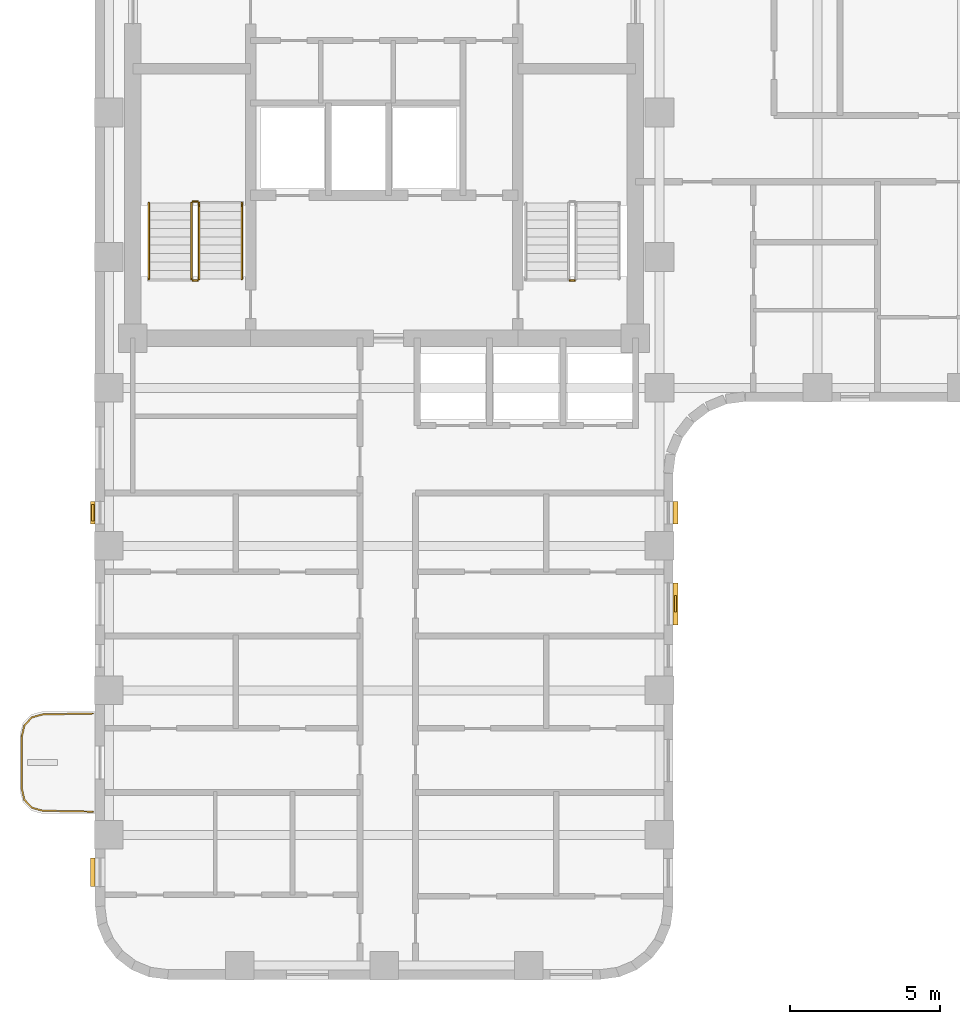
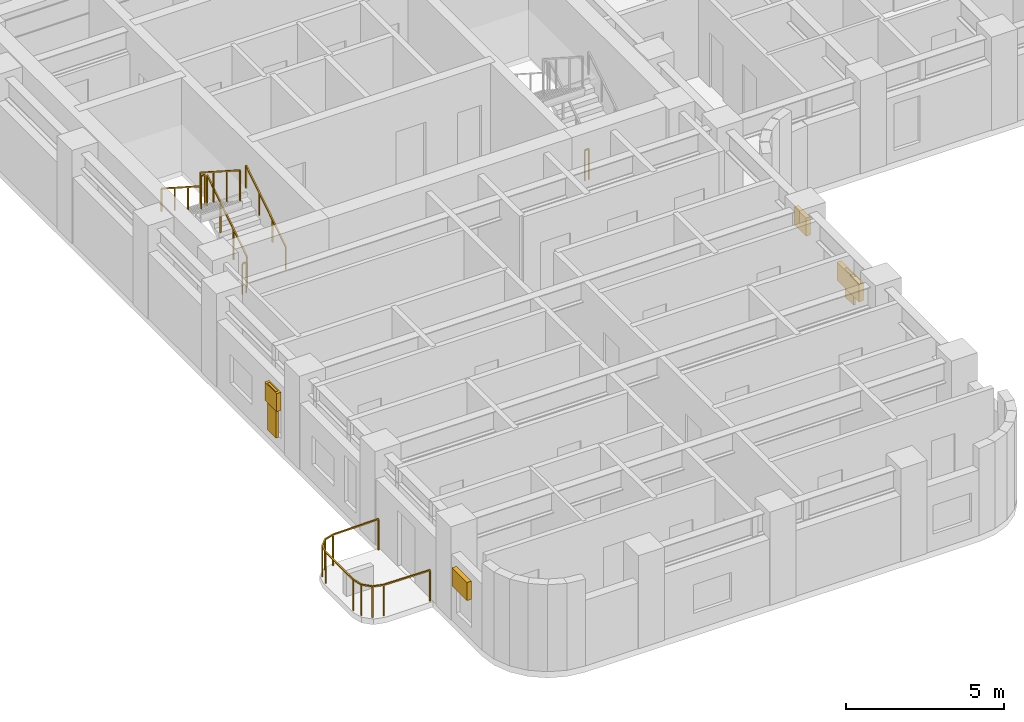
# One storey, part 8 of 10: 8 railings, 6 shading devices.
"""IFC4 building model written with IfcOpenShell, lengths in metres."""

from ifc_helpers import new_model, si_unit, direction, frame, origin, origin_2d, place, context, subcontext, project, spatial, rectangle, extrude, material, type_object, element, save


model = new_model("IFC4")

# Units and contexts
model_context = context("Model", 3, precision=1e-05, world=origin(), true_north=direction((0.0, 1.0)))
body_context = subcontext(model_context, "Body", "Model", "MODEL_VIEW")
ifc_project = project(units=[si_unit("LENGTHUNIT", "METRE"), si_unit("AREAUNIT", "SQUARE_METRE"), si_unit("VOLUMEUNIT", "CUBIC_METRE"), si_unit("PLANEANGLEUNIT", "RADIAN"), si_unit("MASSUNIT", "GRAM", prefix="KILO")], contexts=[model_context])

# Site, building, storey
site_placement = place(None, origin())
site = spatial("IfcSite", under=ifc_project, at=site_placement, CompositionType="ELEMENT")
building_placement = place(site_placement, origin())
building = spatial("IfcBuilding", under=site, at=building_placement, Name="Orvandelia Arch Residences", CompositionType="ELEMENT")
storey_placement = place(building_placement, frame((0.0, 0.0, 114.39990234375)))
storey = spatial("IfcBuildingStorey", under=building, at=storey_placement, Name="L29", CompositionType="ELEMENT", Elevation=114.39990234375)

# Railings
ifc_material_1 = material(Name="Marine-Grade Stainless Steel 316", Category="steel")
railing_type_1 = type_object("IfcRailingType", Name="GRD-BAL-1200", PredefinedType="BALUSTRADE", material=ifc_material_1)
railing_1_placement = place(storey_placement, frame((4.728271484375, 18.430419921875, 0.0)))
element("IfcRailing", 1, at=railing_1_placement, inside=storey, type_object=railing_type_1, Name="Safety Balustrade Guard GRD-L29-BAL-L29-W1-1", PredefinedType="BALUSTRADE", context=body_context, shape_type="SweptSolid", body=[
    extrude(rectangle(XDim=0.048095703125, YDim=0.048095703125, at=origin_2d()), frame((0.0, 0.0, 1.19580078125), z_axis=(-0.999834751713, -0.018178813668, 0.0), x_axis=(0.018178813668, -0.999834751713, 0.0)), (0.0, 0.0, 1.0), 1.6787109375),
    extrude(rectangle(XDim=0.048095703125, YDim=0.048095703125, at=origin_2d()), frame((-1.678466796875, -0.030517578125, 1.19580078125), z_axis=(-0.96348920644, -0.267747173792, 0.0), x_axis=(0.267747173792, -0.96348920644, 0.0)), (0.0, 0.0, 1.0), 0.36572265625),
    extrude(rectangle(XDim=0.048095703125, YDim=0.048095703125, at=origin_2d()), frame((-2.03076171875, -0.12841796875, 1.19580078125), z_axis=(-0.688627404251, -0.725115368831, 0.0), x_axis=(0.725115368831, -0.688627404251, 0.0)), (0.0, 0.0, 1.0), 0.367919921875),
    extrude(rectangle(XDim=0.048095703125, YDim=0.048095703125, at=origin_2d()), frame((-2.2841796875, -0.395263671875, 1.19580078125), z_axis=(-0.220602419982, -0.975363815352, 0.0), x_axis=(0.975363815352, -0.220602419982, 0.0)), (0.0, 0.0, 1.0), 0.373046875),
    extrude(rectangle(XDim=0.048095703125, YDim=0.048095703125, at=origin_2d()), frame((-2.366455078125, -0.759033203125, 1.19580078125), z_axis=(0.0, -1.0, 0.0), x_axis=(1.0, 0.0, 0.0)), (0.0, 0.0, 1.0), 1.74267578125),
    extrude(rectangle(XDim=0.048095703125, YDim=0.048095703125, at=origin_2d()), frame((-2.366455078125, -2.501708984375, 1.19580078125), z_axis=(0.220602419982, -0.975363815352, 0.0), x_axis=(0.975363815352, 0.220602419982, 0.0)), (0.0, 0.0, 1.0), 0.373046875),
    extrude(rectangle(XDim=0.048095703125, YDim=0.048095703125, at=origin_2d()), frame((-2.2841796875, -2.865478515625, 1.19580078125), z_axis=(0.688296224633, -0.725429739642, 0.0), x_axis=(0.725429739642, 0.688296224633, 0.0)), (0.0, 0.0, 1.0), 0.3681640625),
    extrude(rectangle(XDim=0.048095703125, YDim=0.048095703125, at=origin_2d()), frame((-2.03076171875, -3.132568359375, 1.19580078125), z_axis=(0.96348920644, -0.267747173792, 0.0), x_axis=(0.267747173792, 0.96348920644, 0.0)), (0.0, 0.0, 1.0), 0.36572265625),
    extrude(rectangle(XDim=0.048095703125, YDim=0.048095703125, at=origin_2d()), frame((-1.678466796875, -3.23046875, 1.19580078125), z_axis=(0.999837384468, -0.018033430643, 0.0), x_axis=(0.018033430643, 0.999837384468, 0.0)), (0.0, 0.0, 1.0), 1.6787109375),
    extrude(rectangle(XDim=0.0419921875, YDim=0.0419921875, at=origin_2d()), origin(), (0.0, 0.0, 1.0), 1.171875),
    extrude(rectangle(XDim=0.0419921875, YDim=0.0419921875, at=origin_2d()), frame((-1.678466796875, -0.030517578125, 0.0)), (0.0, 0.0, 1.0), 1.171875),
    extrude(rectangle(XDim=0.0419921875, YDim=0.0419921875, at=origin_2d()), frame((-2.03076171875, -0.12841796875, 0.0)), (0.0, 0.0, 1.0), 1.171875),
    extrude(rectangle(XDim=0.0419921875, YDim=0.0419921875, at=origin_2d()), frame((-2.2841796875, -0.395263671875, 0.0)), (0.0, 0.0, 1.0), 1.171875),
    extrude(rectangle(XDim=0.0419921875, YDim=0.0419921875, at=origin_2d()), frame((-2.366455078125, -0.759033203125, 0.0)), (0.0, 0.0, 1.0), 1.171875),
    extrude(rectangle(XDim=0.0419921875, YDim=0.0419921875, at=origin_2d()), frame((-2.366455078125, -2.501708984375, 0.0)), (0.0, 0.0, 1.0), 1.171875),
    extrude(rectangle(XDim=0.0419921875, YDim=0.0419921875, at=origin_2d()), frame((-2.2841796875, -2.865478515625, 0.0)), (0.0, 0.0, 1.0), 1.171875),
    extrude(rectangle(XDim=0.0419921875, YDim=0.0419921875, at=origin_2d()), frame((-2.03076171875, -3.132568359375, 0.0)), (0.0, 0.0, 1.0), 1.171875),
    extrude(rectangle(XDim=0.0419921875, YDim=0.0419921875, at=origin_2d()), frame((-1.678466796875, -3.23046875, 0.0)), (0.0, 0.0, 1.0), 1.171875),
    extrude(rectangle(XDim=0.0419921875, YDim=0.0419921875, at=origin_2d()), frame((0.0, -3.2607421875, 0.0)), (0.0, 0.0, 1.0), 1.171875),
])
ifc_material_2 = material(Name="Brushed Stainless Steel 304", Category="steel")
railing_type_2 = type_object("IfcRailingType", Name="RL-STAIR-GD1120", PredefinedType="GUARDRAIL", material=ifc_material_2)
railing_2_placement = place(storey_placement, frame((8.25, 32.8701171875, 0.18017578125)))
element("IfcRailing", 2, at=railing_2_placement, inside=storey, type_object=railing_type_2, Name="L29 ST-1 stair guard 1", PredefinedType="GUARDRAIL", context=body_context, shape_type="SweptSolid", body=[
    extrude(rectangle(XDim=0.048095703125, YDim=0.048095703125, at=origin_2d()), frame((0.0, 0.0, 1.17578125), z_axis=(0.0, 0.841175827307, 0.540761710511), x_axis=(-1.0, 0.0, 0.0)), (0.0, 0.0, 1.0), 2.99560546875),
    extrude(rectangle(XDim=0.0419921875, YDim=0.0419921875, at=origin_2d()), origin(), (0.0, 0.0, 1.0), 1.15185546875),
    extrude(rectangle(XDim=0.0419921875, YDim=0.0419921875, at=origin_2d()), frame((0.0, 0.83984375, 0.5400390625)), (0.0, 0.0, 1.0), 1.15185546875),
    extrude(rectangle(XDim=0.0419921875, YDim=0.0419921875, at=origin_2d()), frame((0.0, 1.679931640625, 1.079833984375)), (0.0, 0.0, 1.0), 1.15185546875),
    extrude(rectangle(XDim=0.0419921875, YDim=0.0419921875, at=origin_2d()), frame((0.0, 2.519775390625, 1.619873046875)), (0.0, 0.0, 1.0), 1.15185546875),
])
railing_3_placement = place(storey_placement, frame((8.199951171875, 35.43994140625, 1.800048828125)))
element("IfcRailing", 3, at=railing_3_placement, inside=storey, type_object=railing_type_2, Name="L29 ST-1 stair guard 2", PredefinedType="GUARDRAIL", context=body_context, shape_type="SweptSolid", body=[
    extrude(rectangle(XDim=0.048095703125, YDim=0.048095703125, at=origin_2d()), frame((0.0, 0.0, 1.17578125), z_axis=(-1.0, 0.0, 0.0), x_axis=(0.0, -1.0, 0.0)), (0.0, 0.0, 1.0), 0.14990234375),
    extrude(rectangle(XDim=0.0419921875, YDim=0.0419921875, at=origin_2d()), origin(), (0.0, 0.0, 1.0), 1.15185546875),
    extrude(rectangle(XDim=0.0419921875, YDim=0.0419921875, at=origin_2d()), frame((-0.14990234375, 0.0, 0.0)), (0.0, 0.0, 1.0), 1.15185546875),
])
railing_4_placement = place(storey_placement, frame((8.0, 35.389892578125, 1.97998046875)))
element("IfcRailing", 4, at=railing_4_placement, inside=storey, type_object=railing_type_2, Name="L29 ST-1 stair guard 3", PredefinedType="GUARDRAIL", context=body_context, shape_type="SweptSolid", body=[
    extrude(rectangle(XDim=0.048095703125, YDim=0.048095703125, at=origin_2d()), frame((0.0, 0.0, 1.17578125), z_axis=(0.0, -0.841138753965, 0.540819375188), x_axis=(1.0, 0.0, 0.0)), (0.0, 0.0, 1.0), 2.99560546875),
    extrude(rectangle(XDim=0.0419921875, YDim=0.0419921875, at=origin_2d()), origin(), (0.0, 0.0, 1.0), 1.15185546875),
    extrude(rectangle(XDim=0.0419921875, YDim=0.0419921875, at=origin_2d()), frame((0.0, -0.83984375, 0.5400390625)), (0.0, 0.0, 1.0), 1.15185546875),
    extrude(rectangle(XDim=0.0419921875, YDim=0.0419921875, at=origin_2d()), frame((0.0, -1.679931640625, 1.080078125)), (0.0, 0.0, 1.0), 1.15185546875),
    extrude(rectangle(XDim=0.0419921875, YDim=0.0419921875, at=origin_2d()), frame((0.0, -2.519775390625, 1.6201171875)), (0.0, 0.0, 1.0), 1.15185546875),
])
for number, where, name in (
    (5, (8.199951171875, 32.820068359375, 0.0), "L29 ST-1 stair guard 4"),
    (6, (20.72998046875, 32.820068359375, 0.0), "L29 ST-2 stair guard 4"),
):
    element("IfcRailing", number, at=place(storey_placement, frame(where)), inside=storey, type_object=railing_type_2, Name=name, PredefinedType="GUARDRAIL", context=body_context, shape_type="SweptSolid", body=[
        extrude(rectangle(XDim=0.048095703125, YDim=0.048095703125, at=origin_2d()), frame((0.0, 0.0, 1.17578125), z_axis=(-1.0, 0.0, 0.0), x_axis=(0.0, -1.0, 0.0)), (0.0, 0.0, 1.0), 0.14990234375),
        extrude(rectangle(XDim=0.0419921875, YDim=0.0419921875, at=origin_2d()), origin(), (0.0, 0.0, 1.0), 1.15185546875),
        extrude(rectangle(XDim=0.0419921875, YDim=0.0419921875, at=origin_2d()), frame((-0.14990234375, 0.0, 0.0)), (0.0, 0.0, 1.0), 1.15185546875),
    ])
railing_type_3 = type_object("IfcRailingType", Name="RL-STAIR-HR920", PredefinedType="HANDRAIL", material=ifc_material_2)
railing_5_placement = place(storey_placement, frame((9.669921875, 32.8701171875, 0.360107421875)))
element("IfcRailing", 7, at=railing_5_placement, inside=storey, type_object=railing_type_3, Name="L29 ST-1 stair handrail 1", PredefinedType="HANDRAIL", context=body_context, shape_type="SweptSolid", body=[
    extrude(rectangle(XDim=0.048095703125, YDim=0.048095703125, at=origin_2d()), frame((0.0, 0.0, 0.8759765625), z_axis=(0.0, 0.841175827307, 0.540761710511), x_axis=(-1.0, 0.0, 0.0)), (0.0, 0.0, 1.0), 2.99560546875),
    extrude(rectangle(XDim=0.0419921875, YDim=0.0419921875, at=origin_2d()), origin(), (0.0, 0.0, 1.0), 0.851806640625),
    extrude(rectangle(XDim=0.0419921875, YDim=0.0419921875, at=origin_2d()), frame((0.0, 0.83984375, 0.5400390625)), (0.0, 0.0, 1.0), 0.851806640625),
    extrude(rectangle(XDim=0.0419921875, YDim=0.0419921875, at=origin_2d()), frame((0.0, 1.679931640625, 1.079833984375)), (0.0, 0.0, 1.0), 0.851806640625),
    extrude(rectangle(XDim=0.0419921875, YDim=0.0419921875, at=origin_2d()), frame((0.0, 2.519775390625, 1.619873046875)), (0.0, 0.0, 1.0), 0.851806640625),
])
railing_6_placement = place(storey_placement, frame((6.580078125, 35.389892578125, 2.16015625)))
element("IfcRailing", 8, at=railing_6_placement, inside=storey, type_object=railing_type_3, Name="L29 ST-1 stair handrail 2", PredefinedType="HANDRAIL", context=body_context, shape_type="SweptSolid", body=[
    extrude(rectangle(XDim=0.048095703125, YDim=0.048095703125, at=origin_2d()), frame((0.0, 0.0, 0.8759765625), z_axis=(0.0, -0.841175827307, 0.540761710511), x_axis=(1.0, 0.0, 0.0)), (0.0, 0.0, 1.0), 2.99560546875),
    extrude(rectangle(XDim=0.0419921875, YDim=0.0419921875, at=origin_2d()), origin(), (0.0, 0.0, 1.0), 0.851806640625),
    extrude(rectangle(XDim=0.0419921875, YDim=0.0419921875, at=origin_2d()), frame((0.0, -0.83984375, 0.5400390625)), (0.0, 0.0, 1.0), 0.851806640625),
    extrude(rectangle(XDim=0.0419921875, YDim=0.0419921875, at=origin_2d()), frame((0.0, -1.679931640625, 1.079833984375)), (0.0, 0.0, 1.0), 0.851806640625),
    extrude(rectangle(XDim=0.0419921875, YDim=0.0419921875, at=origin_2d()), frame((0.0, -2.519775390625, 1.619873046875)), (0.0, 0.0, 1.0), 0.851806640625),
])

# Shading devices
ifc_material_3 = material(Name="Anodised Champagne-Bronze Extruded Aluminium", Category="aluminium")
shading_device_type_1 = type_object("IfcShadingDeviceType", Name="SHD-JALOUSIE-SCREEN", PredefinedType="JALOUSIE", material=ifc_material_3)
shading_device_1_placement = place(storey_placement, frame((24.080078125, 22.070068359375, 1.05029296875), z_axis=(0.0, 0.0, 1.0), x_axis=(0.0, -1.0, 0.0)))
element("IfcShadingDevice", 9, at=shading_device_1_placement, inside=storey, type_object=shading_device_type_1, Name="Bronze Jalousie Sun-Shade L29-006", PredefinedType="JALOUSIE", context=body_context, shape_type="SweptSolid", body=[
    extrude(rectangle(XDim=1.39990234375, YDim=0.159912109375, at=origin_2d()), origin(), (0.0, 0.0, 1.0), 0.699951171875),
])
shading_device_2_placement = place(storey_placement, frame((24.080078125, 25.107421875, 1.55029296875), z_axis=(0.0, 0.0, 1.0), x_axis=(0.0, -1.0, 0.0)))
element("IfcShadingDevice", 10, at=shading_device_2_placement, inside=storey, type_object=shading_device_type_1, Name="Bronze Jalousie Sun-Shade L29-007", PredefinedType="JALOUSIE", context=body_context, shape_type="SweptSolid", body=[
    extrude(rectangle(XDim=0.75, YDim=0.159912109375, at=origin_2d()), origin(), (0.0, 0.0, 1.0), 0.699951171875),
])
shading_device_3_placement = place(storey_placement, frame((4.719970703125, 13.153564453125, 1.55029296875), z_axis=(0.0, 0.0, 1.0), x_axis=(0.0, 1.0, 0.0)))
element("IfcShadingDevice", 11, at=shading_device_3_placement, inside=storey, type_object=shading_device_type_1, Name="Bronze Jalousie Sun-Shade L29-008", PredefinedType="JALOUSIE", context=body_context, shape_type="SweptSolid", body=[
    extrude(rectangle(XDim=0.949951171875, YDim=0.159912109375, at=origin_2d()), origin(), (0.0, 0.0, 1.0), 0.699951171875),
])
shading_device_4_placement = place(storey_placement, frame((4.719970703125, 25.107421875, 1.55029296875), z_axis=(0.0, 0.0, 1.0), x_axis=(0.0, 1.0, 0.0)))
element("IfcShadingDevice", 12, at=shading_device_4_placement, inside=storey, type_object=shading_device_type_1, Name="Bronze Jalousie Sun-Shade L29-009", PredefinedType="JALOUSIE", context=body_context, shape_type="SweptSolid", body=[
    extrude(rectangle(XDim=0.75, YDim=0.159912109375, at=origin_2d()), origin(), (0.0, 0.0, 1.0), 0.699951171875),
])
ifc_material_4 = material(Name="Marine-Grade Perforated Aluminium Storm Shutter", Category="aluminium")
shading_device_type_2 = type_object("IfcShadingDeviceType", Name="SHD-STORM-SHUTTER", PredefinedType="SHUTTER", material=ifc_material_4)
shading_device_5_placement = place(storey_placement, frame((24.080078125, 22.070068359375, 0.650146484375), z_axis=(0.0, 0.0, 1.0), x_axis=(0.0, -1.0, 0.0)))
element("IfcShadingDevice", 13, at=shading_device_5_placement, inside=storey, type_object=shading_device_type_2, Name="Operable Typhoon Storm Shutter L29-006", PredefinedType="SHUTTER", context=body_context, shape_type="SweptSolid", body=[
    extrude(rectangle(XDim=0.550048828125, YDim=0.080078125, at=origin_2d()), origin(), (0.0, 0.0, 1.0), 1.10009765625),
])
shading_device_6_placement = place(storey_placement, frame((4.719970703125, 25.107421875, 0.4501953125), z_axis=(0.0, 0.0, 1.0), x_axis=(0.0, 1.0, 0.0)))
element("IfcShadingDevice", 14, at=shading_device_6_placement, inside=storey, type_object=shading_device_type_2, Name="Operable Typhoon Storm Shutter L29-009", PredefinedType="SHUTTER", context=body_context, shape_type="SweptSolid", body=[
    extrude(rectangle(XDim=0.550048828125, YDim=0.080078125, at=origin_2d()), origin(), (0.0, 0.0, 1.0), 1.800048828125),
])

save(model, "model.ifc")
